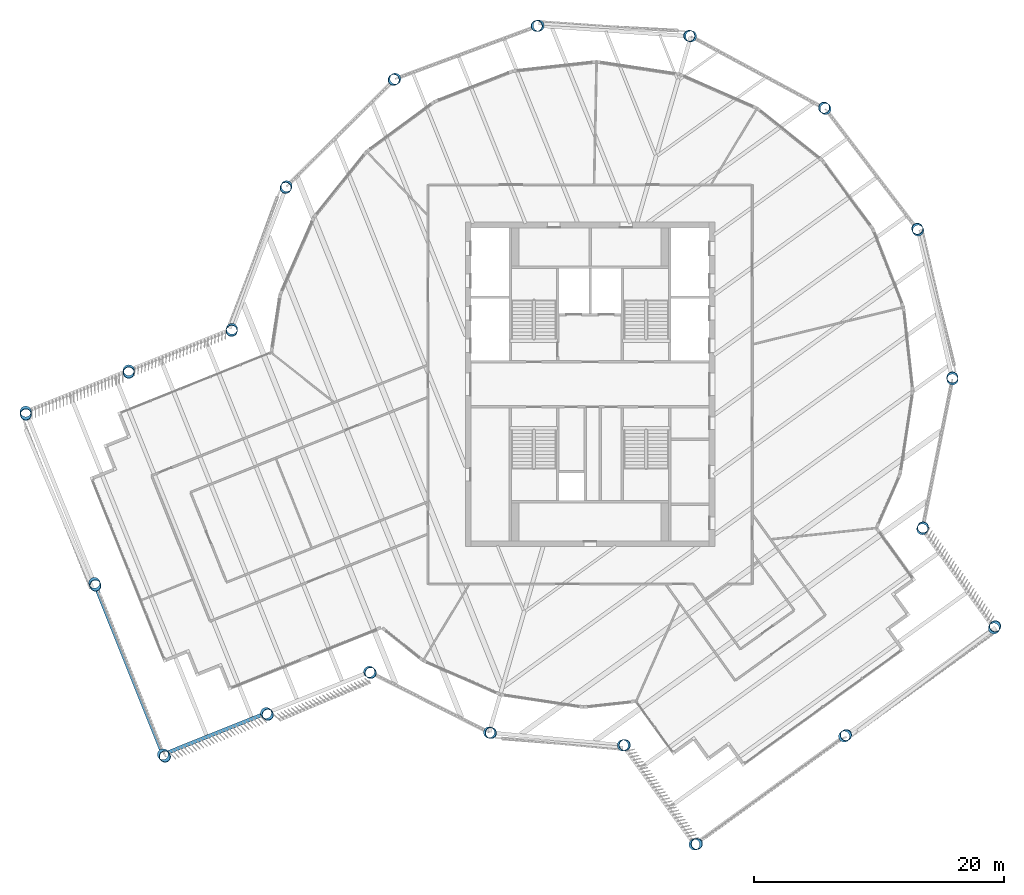
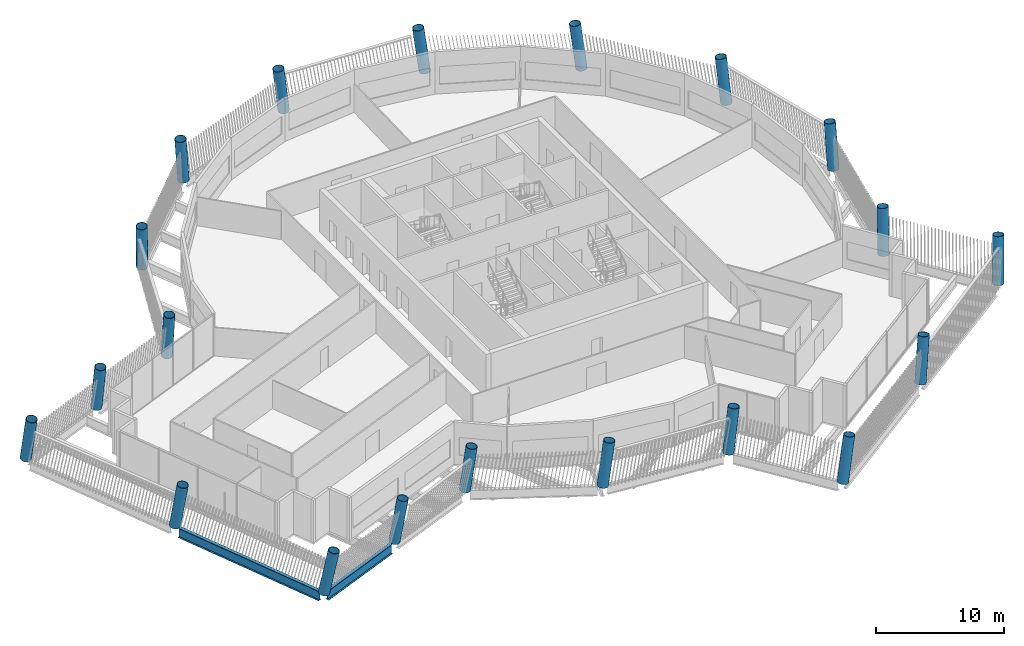
# One storey, part 1 of 27: 20 columns, 2 beams.
"""IFC4 building model written with IfcOpenShell, lengths in metres."""

from ifc_helpers import new_model, si_unit, direction, frame, origin, origin_2d, place, context, subcontext, project, spatial, hollow_circle, i_section, extrude, material, material_profile, profile_set, type_object, element, save


model = new_model("IFC4")

# Units and contexts
model_context = context("Model", 3, precision=1e-05, world=origin(), true_north=direction((0.0, 1.0)))
body_context = subcontext(model_context, "Body", "Model", "MODEL_VIEW")
ifc_project = project(units=[si_unit("LENGTHUNIT", "METRE"), si_unit("AREAUNIT", "SQUARE_METRE"), si_unit("VOLUMEUNIT", "CUBIC_METRE"), si_unit("PLANEANGLEUNIT", "RADIAN"), si_unit("MASSUNIT", "GRAM", prefix="KILO")], contexts=[model_context])

# Site, building, storey
site_placement = place(None, origin())
site = spatial("IfcSite", under=ifc_project, at=site_placement, CompositionType="ELEMENT")
building_placement = place(site_placement, origin())
building = spatial("IfcBuilding", under=site, at=building_placement, Name="Tarsis Ring Headquarters", CompositionType="ELEMENT")
storey_placement = place(building_placement, frame((0.0, 0.0, 373.39990234375)))
storey = spatial("IfcBuildingStorey", under=building, at=storey_placement, Name="L88", CompositionType="ELEMENT", Elevation=373.39990234375)

# Columns
ifc_material = material(Name="Structural steel S355", Category="steel")
ifc_material_profile_1 = material_profile(ifc_material, hollow_circle(Radius=0.45703125, WallThickness=0.0400390625, at=origin_2d()), Name="CHS 914x40")
ifc_profile_set_1 = profile_set([ifc_material_profile_1], Name="Structural steel S355")
column_type = type_object("IfcColumnType", Name="XC Exo column CHS 914x40", PredefinedType="COLUMN", material=ifc_profile_set_1)
for number, where, z_axis, x_axis, name in (
    (1, (-8.084716796875, -27.90087890625, 0.001220703125), (0.119972228855, -0.033585299275, 0.992208996117), (0.269578382875, 0.962978450167, 0.0), "Exo column XC8 F1"),
    (2, (2.637939453125, -28.928466796875, 0.001220703125), (0.12395416368, 0.012406957724, 0.992210377242), (-0.09959544823, 0.995028013019, 0.0), "Exo column XC8 AK"),
):
    element("IfcColumn", number, at=place(storey_placement, frame(where, z_axis=z_axis, x_axis=x_axis)), inside=storey, type_object=column_type, Name=name, PredefinedType="COLUMN", context=body_context, shape_type="SweptSolid", body=[
        extrude(hollow_circle(Radius=0.457275390625, WallThickness=0.0400390625, at=origin_2d()), origin(), (0.0, 0.0, 1.0), 4.230712890625),
    ])
column_1_placement = place(storey_placement, frame((8.378662109375, -36.87646484375, 0.001220703125), z_axis=(0.156983769321, 0.037136562614, 0.986902716526), x_axis=(-0.230209259151, 0.973141149578, 0.0)))
element("IfcColumn", 3, at=column_1_placement, inside=storey, type_object=column_type, Name="Exo column XC8 AT1", PredefinedType="COLUMN", context=body_context, shape_type="SweptSolid", body=[
    extrude(hollow_circle(Radius=0.457275390625, WallThickness=0.0400390625, at=origin_2d()), origin(), (0.0, 0.0, 1.0), 4.25341796875),
])
column_2_placement = place(storey_placement, frame((20.37646484375, -28.210693359375, 0.001220703125), z_axis=(0.11974252167, 0.088167764515, 0.98888228511), x_axis=(-0.592921943406, 0.805259938794, 0.0)))
element("IfcColumn", 4, at=column_2_placement, inside=storey, type_object=column_type, Name="Exo column XC8 AT2", PredefinedType="COLUMN", context=body_context, shape_type="SweptSolid", body=[
    extrude(hollow_circle(Radius=0.457275390625, WallThickness=0.0400390625, at=origin_2d()), origin(), (0.0, 0.0, 1.0), 4.244873046875),
])
column_3_placement = place(storey_placement, frame((32.3740234375, -19.544921875, 0.001220703125), z_axis=(0.082079585977, 0.138846516418, 0.986906574324), x_axis=(-0.860834414605, 0.508885164483, 0.0)))
element("IfcColumn", 5, at=column_3_placement, inside=storey, type_object=column_type, Name="Exo column XC8 AT3", PredefinedType="COLUMN", context=body_context, shape_type="SweptSolid", body=[
    extrude(hollow_circle(Radius=0.457275390625, WallThickness=0.0400390625, at=origin_2d()), origin(), (0.0, 0.0, 1.0), 4.25341796875),
])
for number, where, z_axis, x_axis, name in (
    (6, (26.63330078125, -11.596923828125, 0.001220703125), (0.048646921824, 0.114663622377, 0.992212543108), (-0.920576734174, 0.390561744795, 0.0), "Exo column XC8 AJ"),
    (7, (29.045654296875, 0.412109375, 0.001220703125), (-0.0028853422, 0.124531369369, 0.992211475868), (-0.999731692805, -0.023163384912, 0.0), "Exo column XC8 R1"),
    (8, (26.29345703125, 12.34765625, 0.001220703125), (-0.053955748488, 0.112297204875, 0.992208705355), (-0.901356750526, -0.433077369857, 0.0), "Exo column XC8 R2"),
    (9, (18.866455078125, 22.087890625, 0.001220703125), (-0.095447116651, 0.08003938984, 0.992211441174), (-0.642550849488, -0.766243046182, 0.0), "Exo column XC8 R3"),
    (10, (8.084716796875, 27.90087890625, 0.001220703125), (-0.119972228855, 0.033585299275, 0.992208996117), (-0.269578382875, -0.962978450167, 0.0), "Exo column XC8 R4"),
    (11, (-4.134521484375, 28.752685546875, 0.001220703125), (-0.123146247639, -0.01881240709, 0.992210207079), (0.151012824733, -0.988531803619, 0.0), "Exo column XC8 R5"),
    (12, (-15.61865234375, 24.492431640625, 0.001220703125), (-0.104391968303, -0.06792114245, 0.992214208406), (0.545362884913, -0.838200049964, 0.0), "Exo column XC8 R6"),
    (13, (-24.325439453125, 15.877197265625, 0.001220703125), (-0.067170704241, -0.104910945283, 0.992210557317), (0.842170430054, -0.539211430464, 0.0), "Exo column XC8 R7"),
    (14, (-28.707275390625, 4.43896484375, 0.001220703125), (-0.017946835867, -0.123261869494, 0.99221188393), (0.989566032432, -0.144080073074, 0.0), "Exo column XC8 BJ"),
):
    element("IfcColumn", number, at=place(storey_placement, frame(where, z_axis=z_axis, x_axis=x_axis)), inside=storey, type_object=column_type, Name=name, PredefinedType="COLUMN", context=body_context, shape_type="SweptSolid", body=[
        extrude(hollow_circle(Radius=0.457275390625, WallThickness=0.0400390625, at=origin_2d()), origin(), (0.0, 0.0, 1.0), 4.230712890625),
    ])
column_4_placement = place(storey_placement, frame((-36.970703125, 1.126953125, 0.001220703125), z_axis=(-0.003388437648, -0.157763359637, 0.987471134184), x_axis=(0.999769428044, -0.021473023755, 0.0)))
element("IfcColumn", 15, at=column_4_placement, inside=storey, type_object=column_type, Name="Exo column XC8 BO1", PredefinedType="COLUMN", context=body_context, shape_type="SweptSolid", body=[
    extrude(hollow_circle(Radius=0.457275390625, WallThickness=0.0400390625, at=origin_2d()), origin(), (0.0, 0.0, 1.0), 4.2509765625),
])
column_5_placement = place(storey_placement, frame((-45.23388671875, -2.184814453125, 0.00146484375), z_axis=(0.011017155584, -0.19174417412, 0.981383102552), x_axis=(0.998353389379, 0.057362966404, 0.0)))
element("IfcColumn", 16, at=column_5_placement, inside=storey, type_object=column_type, Name="Exo column XC8 BT3", PredefinedType="COLUMN", context=body_context, shape_type="SweptSolid", body=[
    extrude(hollow_circle(Radius=0.457275390625, WallThickness=0.0400390625, at=origin_2d()), origin(), (0.0, 0.0, 1.0), 4.27685546875),
])
column_6_placement = place(storey_placement, frame((-39.72802734375, -15.922607421875, 0.00146484375), z_axis=(0.069207468323, -0.168214185402, 0.983318012729), x_axis=(0.924788767076, 0.380480927631, 0.0)))
element("IfcColumn", 17, at=column_6_placement, inside=storey, type_object=column_type, Name="Exo column XC8 BT2", PredefinedType="COLUMN", context=body_context, shape_type="SweptSolid", body=[
    extrude(hollow_circle(Radius=0.457275390625, WallThickness=0.0400390625, at=origin_2d()), origin(), (0.0, 0.0, 1.0), 4.2685546875),
])
column_7_placement = place(storey_placement, frame((-34.22216796875, -29.66015625, 0.00146484375), z_axis=(0.127124396332, -0.144021038144, 0.981375223056), x_axis=(0.749716437913, 0.661759218087, 0.0)))
element("IfcColumn", 18, at=column_7_placement, inside=storey, type_object=column_type, Name="Exo column XC8 BT1", PredefinedType="COLUMN", context=body_context, shape_type="SweptSolid", body=[
    extrude(hollow_circle(Radius=0.457275390625, WallThickness=0.0400390625, at=origin_2d()), origin(), (0.0, 0.0, 1.0), 4.27685546875),
])
column_8_placement = place(storey_placement, frame((-25.958740234375, -26.348388671875, 0.001220703125), z_axis=(0.113425942833, -0.109750367977, 0.987466157507), x_axis=(0.695366873454, 0.71865493201, 0.0)))
element("IfcColumn", 19, at=column_8_placement, inside=storey, type_object=column_type, Name="Exo column XC8 BI1", PredefinedType="COLUMN", context=body_context, shape_type="SweptSolid", body=[
    extrude(hollow_circle(Radius=0.457275390625, WallThickness=0.0400390625, at=origin_2d()), origin(), (0.0, 0.0, 1.0), 4.2509765625),
])
column_9_placement = place(storey_placement, frame((-17.695556640625, -23.03662109375, 0.001220703125), z_axis=(0.099486580351, -0.074961176262, 0.992211289184), x_axis=(0.601777442992, 0.798663827343, 0.0)))
element("IfcColumn", 20, at=column_9_placement, inside=storey, type_object=column_type, Name="Exo column XC8 BK", PredefinedType="COLUMN", context=body_context, shape_type="SweptSolid", body=[
    extrude(hollow_circle(Radius=0.457275390625, WallThickness=0.0400390625, at=origin_2d()), origin(), (0.0, 0.0, 1.0), 4.230712890625),
])

# Beams
ifc_material_profile_2 = material_profile(ifc_material, i_section(OverallWidth=0.3046875, OverallDepth=0.91943359375, WebThickness=0.017333984375, FlangeThickness=0.02783203125, at=origin_2d()), Name="W36x170")
ifc_profile_set_2 = profile_set([ifc_material_profile_2], Name="Structural steel S355")
beam_type = type_object("IfcBeamType", Name="XG Ring girder W36x170", PredefinedType="BEAM", material=ifc_profile_set_2)
beam_1_placement = place(storey_placement, frame((-39.574951171875, -16.30419921875, -0.459716796875), z_axis=(0.372017002733, -0.928225915215, 0.0), x_axis=(0.928225915215, 0.372017002733, 0.0)))
element("IfcBeam", 21, at=beam_1_placement, inside=storey, type_object=beam_type, Name="Ring girder XG4", PredefinedType="BEAM", context=body_context, shape_type="SweptSolid", body=[
    extrude(i_section(OverallWidth=0.3046875, OverallDepth=0.91943359375, WebThickness=0.017333984375, FlangeThickness=0.02783203125, at=origin_2d()), origin(), (0.0, 0.0, 1.0), 13.97705078125),
])
beam_2_placement = place(storey_placement, frame((-33.84033203125, -29.5068359375, -0.459716796875), z_axis=(0.928228490036, 0.37201057819, 0.0), x_axis=(-0.37201057819, 0.928228490036, 0.0)))
element("IfcBeam", 22, at=beam_2_placement, inside=storey, type_object=beam_type, Name="Ring girder XG4", PredefinedType="BEAM", context=body_context, shape_type="SweptSolid", body=[
    extrude(i_section(OverallWidth=0.3046875, OverallDepth=0.91943359375, WebThickness=0.017333984375, FlangeThickness=0.02783203125, at=origin_2d()), origin(), (0.0, 0.0, 1.0), 8.079345703125),
])

save(model, "model.ifc")
